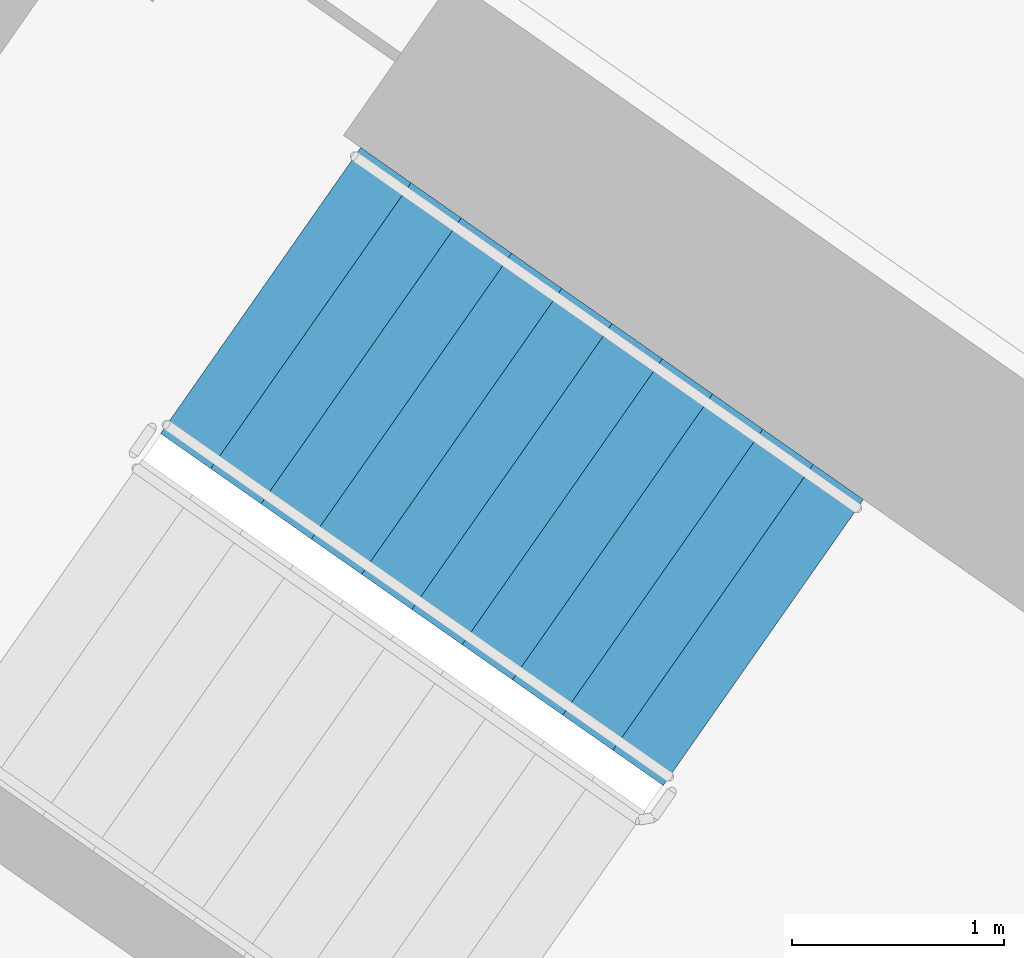
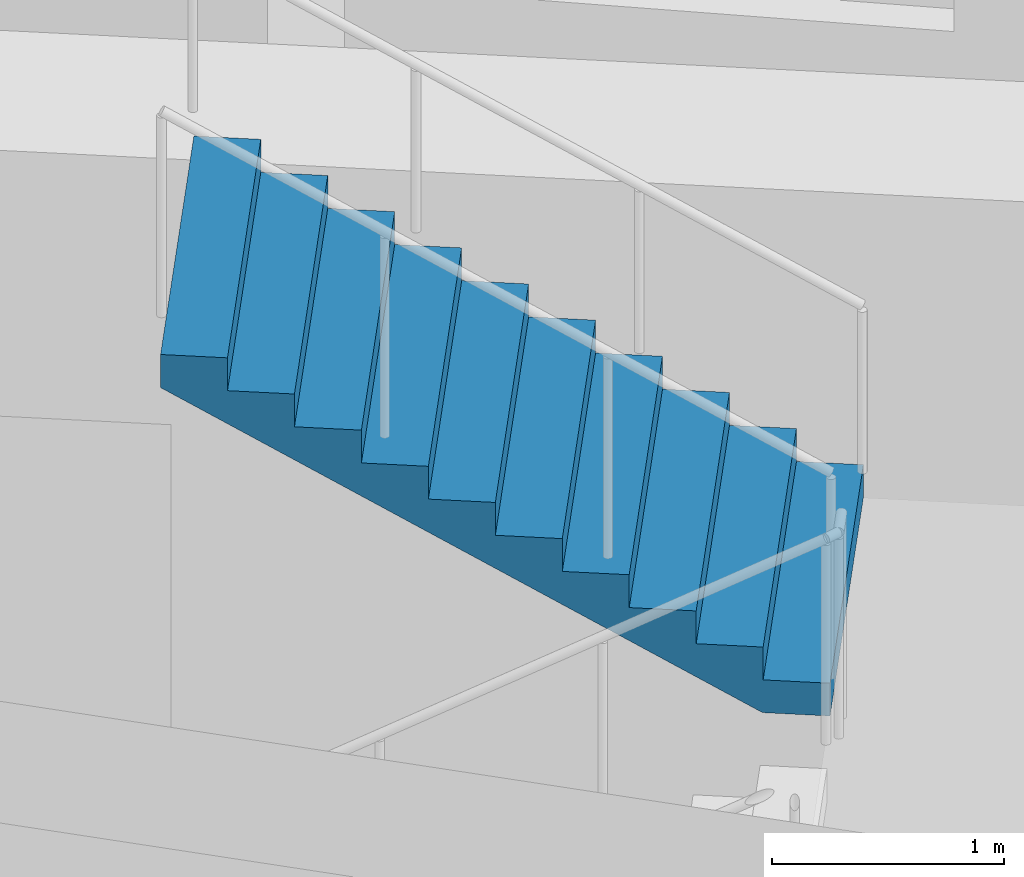
# One storey, part 14 of 32: 1 stair flight, 1 element without a shape of its own.
"""IFC4 building model written with IfcOpenShell, lengths in metres."""

from ifc_helpers import new_model, si_unit, direction, frame, origin, place, context, subcontext, project, spatial, faceted_brep, material, type_object, element, aggregate, save


model = new_model("IFC4")

# Units and contexts
model_context = context("Model", 3, precision=1e-05, world=origin(), true_north=direction((0.0, 1.0)))
body_context = subcontext(model_context, "Body", "Model", "MODEL_VIEW")
ifc_project = project(units=[si_unit("LENGTHUNIT", "METRE"), si_unit("AREAUNIT", "SQUARE_METRE"), si_unit("VOLUMEUNIT", "CUBIC_METRE"), si_unit("PLANEANGLEUNIT", "RADIAN"), si_unit("MASSUNIT", "GRAM", prefix="KILO")], contexts=[model_context])

# Site, building, storey
site_placement = place(None, origin())
site = spatial("IfcSite", under=ifc_project, at=site_placement, CompositionType="ELEMENT")
building_placement = place(site_placement, origin())
building = spatial("IfcBuilding", under=site, at=building_placement, Name="Qamariyya Broadcast Tower", CompositionType="ELEMENT")
storey_placement = place(building_placement, frame((0.0, 0.0, 63.300048828125)))
storey = spatial("IfcBuildingStorey", under=building, at=storey_placement, Name="L12", CompositionType="ELEMENT", Elevation=63.300048828125)

# Stair, stair flight
ifc_material = material(Name="Concrete C50/60", Category="concrete")
stair_type = type_object("IfcStairType", Name="Exit stair 22 risers of 173 mm", PredefinedType="HALF_TURN_STAIR", material=ifc_material)
stair_placement = place(storey_placement, origin())
stair = element("IfcStair", 1, at=stair_placement, inside=storey, type_object=stair_type, Name="L12 Stair W2", PredefinedType="HALF_TURN_STAIR")
stair_flight_type = type_object("IfcStairFlightType", Name="Exit stair flight 11 risers of 173 mm", PredefinedType="STRAIGHT", material=ifc_material)
stair_flight_placement = place(storey_placement, frame((-38.18310546875, -49.3486328125, 1.89990234375), z_axis=(0.0, 0.0, 1.0), x_axis=(-0.819152044289, 0.573576436351, 0.0)))
stair_flight = element("IfcStairFlight", 2, at=stair_flight_placement, type_object=stair_flight_type, Name="ST-W2 flight 2", NumberOfRisers=11, NumberOfTreads=10, PredefinedType="STRAIGHT", RiserHeight=0.172727273, TreadLength=0.29, context=body_context, shape_type="Brep", body=[
    faceted_brep([(0.0, 0.824951171875, 0.0), (0.0, 0.824951171875, 0.172607421875), (0.2900390625, 0.824951171875, 0.172607421875), (0.2900390625, 0.824951171875, 0.345458984375), (0.580078125, 0.824951171875, 0.345458984375), (0.580078125, 0.824951171875, 0.51806640625), (0.8701171875, 0.824951171875, 0.51806640625), (0.8701171875, 0.824951171875, 0.69091796875), (1.159912109375, 0.824951171875, 0.69091796875), (1.159912109375, 0.824951171875, 0.863525390625), (1.449951171875, 0.824951171875, 0.863525390625), (1.449951171875, 0.824951171875, 1.036376953125), (1.739990234375, 0.824951171875, 1.036376953125), (1.739990234375, 0.824951171875, 1.208984375), (2.030029296875, 0.824951171875, 1.208984375), (2.030029296875, 0.824951171875, 1.3818359375), (2.320068359375, 0.824951171875, 1.3818359375), (2.320068359375, 0.824951171875, 1.554443359375), (2.610107421875, 0.824951171875, 1.554443359375), (2.610107421875, 0.824951171875, 1.727294921875), (2.89990234375, 0.824951171875, 1.727294921875), (2.89990234375, 0.824951171875, 1.552734375), (0.29296875, 0.824951171875, 0.0), (0.29296875, -0.824951171875, 0.0), (2.89990234375, -0.824951171875, 1.552734375), (2.89990234375, -0.824951171875, 1.727294921875), (2.610107421875, -0.824951171875, 1.727294921875), (2.610107421875, -0.824951171875, 1.554443359375), (2.320068359375, -0.824951171875, 1.554443359375), (2.320068359375, -0.824951171875, 1.3818359375), (2.030029296875, -0.824951171875, 1.3818359375), (2.030029296875, -0.824951171875, 1.208984375), (1.739990234375, -0.824951171875, 1.208984375), (1.739990234375, -0.824951171875, 1.036376953125), (1.449951171875, -0.824951171875, 1.036376953125), (1.449951171875, -0.824951171875, 0.863525390625), (1.159912109375, -0.824951171875, 0.863525390625), (1.159912109375, -0.824951171875, 0.69091796875), (0.8701171875, -0.824951171875, 0.69091796875), (0.8701171875, -0.824951171875, 0.51806640625), (0.580078125, -0.824951171875, 0.51806640625), (0.580078125, -0.824951171875, 0.345458984375), (0.2900390625, -0.824951171875, 0.345458984375), (0.2900390625, -0.824951171875, 0.172607421875), (0.0, -0.824951171875, 0.172607421875), (0.0, -0.824951171875, 0.0), (0.0, 0.10009765625, 0.0), (0.0, 0.086669921875, 0.0), (0.0, 0.0732421875, 0.0), (0.0, 0.06005859375, 0.0), (0.0, 0.046630859375, 0.0), (0.0, 0.033447265625, 0.0), (0.0, 0.02001953125, 0.0), (0.0, 0.006591796875, 0.0), (0.0, -0.006591796875, 0.0), (0.0, -0.02001953125, 0.0), (0.0, -0.033447265625, 0.0), (0.0, -0.046630859375, 0.0), (0.0, -0.06005859375, 0.0), (0.0, -0.0732421875, 0.0), (0.0, -0.086669921875, 0.0), (0.0, -0.10009765625, 0.0), (0.0, -0.10009765625, 0.172607421875), (0.0, -0.086669921875, 0.172607421875), (0.0, -0.0732421875, 0.172607421875), (0.0, -0.06005859375, 0.172607421875), (0.0, -0.046630859375, 0.172607421875), (0.0, -0.033447265625, 0.172607421875), (0.0, -0.02001953125, 0.172607421875), (0.0, -0.006591796875, 0.172607421875), (0.0, 0.006591796875, 0.172607421875), (0.0, 0.02001953125, 0.172607421875), (0.0, 0.033447265625, 0.172607421875), (0.0, 0.046630859375, 0.172607421875), (0.0, 0.06005859375, 0.172607421875), (0.0, 0.0732421875, 0.172607421875), (0.0, 0.086669921875, 0.172607421875), (0.0, 0.10009765625, 0.172607421875), (0.2900390625, -0.10009765625, 0.172607421875), (0.2900390625, -0.086669921875, 0.172607421875), (0.2900390625, -0.0732421875, 0.172607421875), (0.2900390625, -0.06005859375, 0.172607421875), (0.2900390625, -0.046630859375, 0.172607421875), (0.2900390625, -0.033447265625, 0.172607421875), (0.2900390625, -0.02001953125, 0.172607421875), (0.2900390625, -0.006591796875, 0.172607421875), (0.2900390625, 0.006591796875, 0.172607421875), (0.2900390625, 0.02001953125, 0.172607421875), (0.2900390625, 0.033447265625, 0.172607421875), (0.2900390625, 0.046630859375, 0.172607421875), (0.2900390625, 0.06005859375, 0.172607421875), (0.2900390625, 0.0732421875, 0.172607421875), (0.2900390625, 0.086669921875, 0.172607421875), (0.2900390625, 0.10009765625, 0.172607421875), (0.2900390625, -0.10009765625, 0.345458984375), (0.2900390625, -0.086669921875, 0.345458984375), (0.2900390625, -0.0732421875, 0.345458984375), (0.2900390625, -0.06005859375, 0.345458984375), (0.2900390625, -0.046630859375, 0.345458984375), (0.2900390625, -0.033447265625, 0.345458984375), (0.2900390625, -0.02001953125, 0.345458984375), (0.2900390625, -0.006591796875, 0.345458984375), (0.2900390625, 0.006591796875, 0.345458984375), (0.2900390625, 0.02001953125, 0.345458984375), (0.2900390625, 0.033447265625, 0.345458984375), (0.2900390625, 0.046630859375, 0.345458984375), (0.2900390625, 0.06005859375, 0.345458984375), (0.2900390625, 0.0732421875, 0.345458984375), (0.2900390625, 0.086669921875, 0.345458984375), (0.2900390625, 0.10009765625, 0.345458984375), (0.580078125, -0.10009765625, 0.345458984375), (0.580078125, -0.086669921875, 0.345458984375), (0.580078125, -0.0732421875, 0.345458984375), (0.580078125, -0.06005859375, 0.345458984375), (0.580078125, -0.046630859375, 0.345458984375), (0.580078125, -0.033447265625, 0.345458984375), (0.580078125, -0.02001953125, 0.345458984375), (0.580078125, -0.006591796875, 0.345458984375), (0.580078125, 0.006591796875, 0.345458984375), (0.580078125, 0.02001953125, 0.345458984375), (0.580078125, 0.033447265625, 0.345458984375), (0.580078125, 0.046630859375, 0.345458984375), (0.580078125, 0.06005859375, 0.345458984375), (0.580078125, 0.0732421875, 0.345458984375), (0.580078125, 0.086669921875, 0.345458984375), (0.580078125, 0.10009765625, 0.345458984375), (0.580078125, -0.10009765625, 0.51806640625), (0.580078125, -0.086669921875, 0.51806640625), (0.580078125, -0.0732421875, 0.51806640625), (0.580078125, -0.06005859375, 0.51806640625), (0.580078125, -0.046630859375, 0.51806640625), (0.580078125, -0.033447265625, 0.51806640625), (0.580078125, -0.02001953125, 0.51806640625), (0.580078125, -0.006591796875, 0.51806640625), (0.580078125, 0.006591796875, 0.51806640625), (0.580078125, 0.02001953125, 0.51806640625), (0.580078125, 0.033447265625, 0.51806640625), (0.580078125, 0.046630859375, 0.51806640625), (0.580078125, 0.06005859375, 0.51806640625), (0.580078125, 0.0732421875, 0.51806640625), (0.580078125, 0.086669921875, 0.51806640625), (0.580078125, 0.10009765625, 0.51806640625), (0.8701171875, -0.10009765625, 0.51806640625), (0.8701171875, -0.086669921875, 0.51806640625), (0.8701171875, -0.0732421875, 0.51806640625), (0.8701171875, -0.06005859375, 0.51806640625), (0.8701171875, -0.046630859375, 0.51806640625), (0.8701171875, -0.033447265625, 0.51806640625), (0.8701171875, -0.02001953125, 0.51806640625), (0.8701171875, -0.006591796875, 0.51806640625), (0.8701171875, 0.006591796875, 0.51806640625), (0.8701171875, 0.02001953125, 0.51806640625), (0.8701171875, 0.033447265625, 0.51806640625), (0.8701171875, 0.046630859375, 0.51806640625), (0.8701171875, 0.06005859375, 0.51806640625), (0.8701171875, 0.0732421875, 0.51806640625), (0.8701171875, 0.086669921875, 0.51806640625), (0.8701171875, 0.10009765625, 0.51806640625), (0.8701171875, -0.10009765625, 0.69091796875), (0.8701171875, -0.086669921875, 0.69091796875), (0.8701171875, -0.0732421875, 0.69091796875), (0.8701171875, -0.06005859375, 0.69091796875), (0.8701171875, -0.046630859375, 0.69091796875), (0.8701171875, -0.033447265625, 0.69091796875), (0.8701171875, -0.02001953125, 0.69091796875), (0.8701171875, -0.006591796875, 0.69091796875), (0.8701171875, 0.006591796875, 0.69091796875), (0.8701171875, 0.02001953125, 0.69091796875), (0.8701171875, 0.033447265625, 0.69091796875), (0.8701171875, 0.046630859375, 0.69091796875), (0.8701171875, 0.06005859375, 0.69091796875), (0.8701171875, 0.0732421875, 0.69091796875), (0.8701171875, 0.086669921875, 0.69091796875), (0.8701171875, 0.10009765625, 0.69091796875), (1.159912109375, -0.10009765625, 0.69091796875), (1.159912109375, -0.086669921875, 0.69091796875), (1.159912109375, -0.0732421875, 0.69091796875), (1.159912109375, -0.06005859375, 0.69091796875), (1.159912109375, -0.046630859375, 0.69091796875), (1.159912109375, -0.033447265625, 0.69091796875), (1.159912109375, -0.02001953125, 0.69091796875), (1.159912109375, -0.006591796875, 0.69091796875), (1.159912109375, 0.006591796875, 0.69091796875), (1.159912109375, 0.02001953125, 0.69091796875), (1.159912109375, 0.033447265625, 0.69091796875), (1.159912109375, 0.046630859375, 0.69091796875), (1.159912109375, 0.06005859375, 0.69091796875), (1.159912109375, 0.0732421875, 0.69091796875), (1.159912109375, 0.086669921875, 0.69091796875), (1.159912109375, 0.10009765625, 0.69091796875), (1.159912109375, -0.10009765625, 0.863525390625), (1.159912109375, -0.086669921875, 0.863525390625), (1.159912109375, -0.0732421875, 0.863525390625), (1.159912109375, -0.06005859375, 0.863525390625), (1.159912109375, -0.046630859375, 0.863525390625), (1.159912109375, -0.033447265625, 0.863525390625), (1.159912109375, -0.02001953125, 0.863525390625), (1.159912109375, -0.006591796875, 0.863525390625), (1.159912109375, 0.006591796875, 0.863525390625), (1.159912109375, 0.02001953125, 0.863525390625), (1.159912109375, 0.033447265625, 0.863525390625), (1.159912109375, 0.046630859375, 0.863525390625), (1.159912109375, 0.06005859375, 0.863525390625), (1.159912109375, 0.0732421875, 0.863525390625), (1.159912109375, 0.086669921875, 0.863525390625), (1.159912109375, 0.10009765625, 0.863525390625), (1.449951171875, -0.10009765625, 0.863525390625), (1.449951171875, -0.086669921875, 0.863525390625), (1.449951171875, -0.0732421875, 0.863525390625), (1.449951171875, -0.06005859375, 0.863525390625), (1.449951171875, -0.046630859375, 0.863525390625), (1.449951171875, -0.033447265625, 0.863525390625), (1.449951171875, -0.02001953125, 0.863525390625), (1.449951171875, -0.006591796875, 0.863525390625), (1.449951171875, 0.006591796875, 0.863525390625), (1.449951171875, 0.02001953125, 0.863525390625), (1.449951171875, 0.033447265625, 0.863525390625), (1.449951171875, 0.046630859375, 0.863525390625), (1.449951171875, 0.06005859375, 0.863525390625), (1.449951171875, 0.0732421875, 0.863525390625), (1.449951171875, 0.086669921875, 0.863525390625), (1.449951171875, 0.10009765625, 0.863525390625), (1.449951171875, -0.10009765625, 1.036376953125), (1.449951171875, -0.086669921875, 1.036376953125), (1.449951171875, -0.0732421875, 1.036376953125), (1.449951171875, -0.06005859375, 1.036376953125), (1.449951171875, -0.046630859375, 1.036376953125), (1.449951171875, -0.033447265625, 1.036376953125), (1.449951171875, -0.02001953125, 1.036376953125), (1.449951171875, -0.006591796875, 1.036376953125), (1.449951171875, 0.006591796875, 1.036376953125), (1.449951171875, 0.02001953125, 1.036376953125), (1.449951171875, 0.033447265625, 1.036376953125), (1.449951171875, 0.046630859375, 1.036376953125), (1.449951171875, 0.06005859375, 1.036376953125), (1.449951171875, 0.0732421875, 1.036376953125), (1.449951171875, 0.086669921875, 1.036376953125), (1.449951171875, 0.10009765625, 1.036376953125), (1.739990234375, -0.10009765625, 1.036376953125), (1.739990234375, -0.086669921875, 1.036376953125), (1.739990234375, -0.0732421875, 1.036376953125), (1.739990234375, -0.06005859375, 1.036376953125), (1.739990234375, -0.046630859375, 1.036376953125), (1.739990234375, -0.033447265625, 1.036376953125), (1.739990234375, -0.02001953125, 1.036376953125), (1.739990234375, -0.006591796875, 1.036376953125), (1.739990234375, 0.006591796875, 1.036376953125), (1.739990234375, 0.02001953125, 1.036376953125), (1.739990234375, 0.033447265625, 1.036376953125), (1.739990234375, 0.046630859375, 1.036376953125), (1.739990234375, 0.06005859375, 1.036376953125), (1.739990234375, 0.0732421875, 1.036376953125), (1.739990234375, 0.086669921875, 1.036376953125), (1.739990234375, 0.10009765625, 1.036376953125), (1.739990234375, -0.10009765625, 1.208984375), (1.739990234375, -0.086669921875, 1.208984375), (1.739990234375, -0.0732421875, 1.208984375), (1.739990234375, -0.06005859375, 1.208984375), (1.739990234375, -0.046630859375, 1.208984375), (1.739990234375, -0.033447265625, 1.208984375), (1.739990234375, -0.02001953125, 1.208984375), (1.739990234375, -0.006591796875, 1.208984375), (1.739990234375, 0.006591796875, 1.208984375), (1.739990234375, 0.02001953125, 1.208984375), (1.739990234375, 0.033447265625, 1.208984375), (1.739990234375, 0.046630859375, 1.208984375), (1.739990234375, 0.06005859375, 1.208984375), (1.739990234375, 0.0732421875, 1.208984375), (1.739990234375, 0.086669921875, 1.208984375), (1.739990234375, 0.10009765625, 1.208984375), (2.030029296875, -0.10009765625, 1.208984375), (2.030029296875, -0.086669921875, 1.208984375), (2.030029296875, -0.0732421875, 1.208984375), (2.030029296875, -0.06005859375, 1.208984375), (2.030029296875, -0.046630859375, 1.208984375), (2.030029296875, -0.033447265625, 1.208984375), (2.030029296875, -0.02001953125, 1.208984375), (2.030029296875, -0.006591796875, 1.208984375), (2.030029296875, 0.006591796875, 1.208984375), (2.030029296875, 0.02001953125, 1.208984375), (2.030029296875, 0.033447265625, 1.208984375), (2.030029296875, 0.046630859375, 1.208984375), (2.030029296875, 0.06005859375, 1.208984375), (2.030029296875, 0.0732421875, 1.208984375), (2.030029296875, 0.086669921875, 1.208984375), (2.030029296875, 0.10009765625, 1.208984375), (2.030029296875, -0.10009765625, 1.3818359375), (2.030029296875, -0.086669921875, 1.3818359375), (2.030029296875, -0.0732421875, 1.3818359375), (2.030029296875, -0.06005859375, 1.3818359375), (2.030029296875, -0.046630859375, 1.3818359375), (2.030029296875, -0.033447265625, 1.3818359375), (2.030029296875, -0.02001953125, 1.3818359375), (2.030029296875, -0.006591796875, 1.3818359375), (2.030029296875, 0.006591796875, 1.3818359375), (2.030029296875, 0.02001953125, 1.3818359375), (2.030029296875, 0.033447265625, 1.3818359375), (2.030029296875, 0.046630859375, 1.3818359375), (2.030029296875, 0.06005859375, 1.3818359375), (2.030029296875, 0.0732421875, 1.3818359375), (2.030029296875, 0.086669921875, 1.3818359375), (2.030029296875, 0.10009765625, 1.3818359375), (2.320068359375, -0.10009765625, 1.3818359375), (2.320068359375, -0.086669921875, 1.3818359375), (2.320068359375, -0.0732421875, 1.3818359375), (2.320068359375, -0.06005859375, 1.3818359375), (2.320068359375, -0.046630859375, 1.3818359375), (2.320068359375, -0.033447265625, 1.3818359375), (2.320068359375, -0.02001953125, 1.3818359375), (2.320068359375, -0.006591796875, 1.3818359375), (2.320068359375, 0.006591796875, 1.3818359375), (2.320068359375, 0.02001953125, 1.3818359375), (2.320068359375, 0.033447265625, 1.3818359375), (2.320068359375, 0.046630859375, 1.3818359375), (2.320068359375, 0.06005859375, 1.3818359375), (2.320068359375, 0.0732421875, 1.3818359375), (2.320068359375, 0.086669921875, 1.3818359375), (2.320068359375, 0.10009765625, 1.3818359375), (2.320068359375, -0.10009765625, 1.554443359375), (2.320068359375, -0.086669921875, 1.554443359375), (2.320068359375, -0.0732421875, 1.554443359375), (2.320068359375, -0.06005859375, 1.554443359375), (2.320068359375, -0.046630859375, 1.554443359375), (2.320068359375, -0.033447265625, 1.554443359375), (2.320068359375, -0.02001953125, 1.554443359375), (2.320068359375, -0.006591796875, 1.554443359375), (2.320068359375, 0.006591796875, 1.554443359375), (2.320068359375, 0.02001953125, 1.554443359375), (2.320068359375, 0.033447265625, 1.554443359375), (2.320068359375, 0.046630859375, 1.554443359375), (2.320068359375, 0.06005859375, 1.554443359375), (2.320068359375, 0.0732421875, 1.554443359375), (2.320068359375, 0.086669921875, 1.554443359375), (2.320068359375, 0.10009765625, 1.554443359375), (2.610107421875, -0.10009765625, 1.554443359375), (2.610107421875, -0.086669921875, 1.554443359375), (2.610107421875, -0.0732421875, 1.554443359375), (2.610107421875, -0.06005859375, 1.554443359375), (2.610107421875, -0.046630859375, 1.554443359375), (2.610107421875, -0.033447265625, 1.554443359375), (2.610107421875, -0.02001953125, 1.554443359375), (2.610107421875, -0.006591796875, 1.554443359375), (2.610107421875, 0.006591796875, 1.554443359375), (2.610107421875, 0.02001953125, 1.554443359375), (2.610107421875, 0.033447265625, 1.554443359375), (2.610107421875, 0.046630859375, 1.554443359375), (2.610107421875, 0.06005859375, 1.554443359375), (2.610107421875, 0.0732421875, 1.554443359375), (2.610107421875, 0.086669921875, 1.554443359375), (2.610107421875, 0.10009765625, 1.554443359375), (2.610107421875, -0.10009765625, 1.727294921875), (2.610107421875, -0.086669921875, 1.727294921875), (2.610107421875, -0.0732421875, 1.727294921875), (2.610107421875, -0.06005859375, 1.727294921875), (2.610107421875, -0.046630859375, 1.727294921875), (2.610107421875, -0.033447265625, 1.727294921875), (2.610107421875, -0.02001953125, 1.727294921875), (2.610107421875, -0.006591796875, 1.727294921875), (2.610107421875, 0.006591796875, 1.727294921875), (2.610107421875, 0.02001953125, 1.727294921875), (2.610107421875, 0.033447265625, 1.727294921875), (2.610107421875, 0.046630859375, 1.727294921875), (2.610107421875, 0.06005859375, 1.727294921875), (2.610107421875, 0.0732421875, 1.727294921875), (2.610107421875, 0.086669921875, 1.727294921875), (2.610107421875, 0.10009765625, 1.727294921875), (2.89990234375, -0.10009765625, 1.727294921875), (2.89990234375, -0.086669921875, 1.727294921875), (2.89990234375, -0.0732421875, 1.727294921875), (2.89990234375, -0.06005859375, 1.727294921875), (2.89990234375, -0.046630859375, 1.727294921875), (2.89990234375, -0.033447265625, 1.727294921875), (2.89990234375, -0.02001953125, 1.727294921875), (2.89990234375, -0.006591796875, 1.727294921875), (2.89990234375, 0.006591796875, 1.727294921875), (2.89990234375, 0.02001953125, 1.727294921875), (2.89990234375, 0.033447265625, 1.727294921875), (2.89990234375, 0.046630859375, 1.727294921875), (2.89990234375, 0.06005859375, 1.727294921875), (2.89990234375, 0.0732421875, 1.727294921875), (2.89990234375, 0.086669921875, 1.727294921875), (2.89990234375, 0.10009765625, 1.727294921875), (2.89990234375, -0.10009765625, 1.552734375), (2.89990234375, -0.086669921875, 1.552734375), (2.89990234375, -0.0732421875, 1.552734375), (2.89990234375, -0.06005859375, 1.552734375), (2.89990234375, -0.046630859375, 1.552734375), (2.89990234375, -0.033447265625, 1.552734375), (2.89990234375, -0.02001953125, 1.552734375), (2.89990234375, -0.006591796875, 1.552734375), (2.89990234375, 0.006591796875, 1.552734375), (2.89990234375, 0.02001953125, 1.552734375), (2.89990234375, 0.033447265625, 1.552734375), (2.89990234375, 0.046630859375, 1.552734375), (2.89990234375, 0.06005859375, 1.552734375), (2.89990234375, 0.0732421875, 1.552734375), (2.89990234375, 0.086669921875, 1.552734375), (2.89990234375, 0.10009765625, 1.552734375), (0.29296875, -0.10009765625, 0.0), (0.29296875, -0.086669921875, 0.0), (0.29296875, -0.0732421875, 0.0), (0.29296875, -0.06005859375, 0.0), (0.29296875, -0.046630859375, 0.0), (0.29296875, -0.033447265625, 0.0), (0.29296875, -0.02001953125, 0.0), (0.29296875, -0.006591796875, 0.0), (0.29296875, 0.006591796875, 0.0), (0.29296875, 0.02001953125, 0.0), (0.29296875, 0.033447265625, 0.0), (0.29296875, 0.046630859375, 0.0), (0.29296875, 0.06005859375, 0.0), (0.29296875, 0.0732421875, 0.0), (0.29296875, 0.086669921875, 0.0), (0.29296875, 0.10009765625, 0.0)], [[[0, 1, 2, 3, 4, 5, 6, 7, 8, 9, 10, 11, 12, 13, 14, 15, 16, 17, 18, 19, 20, 21, 22]], [[23, 24, 25, 26, 27, 28, 29, 30, 31, 32, 33, 34, 35, 36, 37, 38, 39, 40, 41, 42, 43, 44, 45]], [[0, 46, 47, 48, 49, 50, 51, 52, 53, 54, 55, 56, 57, 58, 59, 60, 61, 45, 44, 62, 63, 64, 65, 66, 67, 68, 69, 70, 71, 72, 73, 74, 75, 76, 77, 1]], [[1, 77, 76, 75, 74, 73, 72, 71, 70, 69, 68, 67, 66, 65, 64, 63, 62, 44, 43, 78, 79, 80, 81, 82, 83, 84, 85, 86, 87, 88, 89, 90, 91, 92, 93, 2]], [[2, 93, 92, 91, 90, 89, 88, 87, 86, 85, 84, 83, 82, 81, 80, 79, 78, 43, 42, 94, 95, 96, 97, 98, 99, 100, 101, 102, 103, 104, 105, 106, 107, 108, 109, 3]], [[3, 109, 108, 107, 106, 105, 104, 103, 102, 101, 100, 99, 98, 97, 96, 95, 94, 42, 41, 110, 111, 112, 113, 114, 115, 116, 117, 118, 119, 120, 121, 122, 123, 124, 125, 4]], [[4, 125, 124, 123, 122, 121, 120, 119, 118, 117, 116, 115, 114, 113, 112, 111, 110, 41, 40, 126, 127, 128, 129, 130, 131, 132, 133, 134, 135, 136, 137, 138, 139, 140, 141, 5]], [[5, 141, 140, 139, 138, 137, 136, 135, 134, 133, 132, 131, 130, 129, 128, 127, 126, 40, 39, 142, 143, 144, 145, 146, 147, 148, 149, 150, 151, 152, 153, 154, 155, 156, 157, 6]], [[6, 157, 156, 155, 154, 153, 152, 151, 150, 149, 148, 147, 146, 145, 144, 143, 142, 39, 38, 158, 159, 160, 161, 162, 163, 164, 165, 166, 167, 168, 169, 170, 171, 172, 173, 7]], [[7, 173, 172, 171, 170, 169, 168, 167, 166, 165, 164, 163, 162, 161, 160, 159, 158, 38, 37, 174, 175, 176, 177, 178, 179, 180, 181, 182, 183, 184, 185, 186, 187, 188, 189, 8]], [[8, 189, 188, 187, 186, 185, 184, 183, 182, 181, 180, 179, 178, 177, 176, 175, 174, 37, 36, 190, 191, 192, 193, 194, 195, 196, 197, 198, 199, 200, 201, 202, 203, 204, 205, 9]], [[9, 205, 204, 203, 202, 201, 200, 199, 198, 197, 196, 195, 194, 193, 192, 191, 190, 36, 35, 206, 207, 208, 209, 210, 211, 212, 213, 214, 215, 216, 217, 218, 219, 220, 221, 10]], [[10, 221, 220, 219, 218, 217, 216, 215, 214, 213, 212, 211, 210, 209, 208, 207, 206, 35, 34, 222, 223, 224, 225, 226, 227, 228, 229, 230, 231, 232, 233, 234, 235, 236, 237, 11]], [[11, 237, 236, 235, 234, 233, 232, 231, 230, 229, 228, 227, 226, 225, 224, 223, 222, 34, 33, 238, 239, 240, 241, 242, 243, 244, 245, 246, 247, 248, 249, 250, 251, 252, 253, 12]], [[12, 253, 252, 251, 250, 249, 248, 247, 246, 245, 244, 243, 242, 241, 240, 239, 238, 33, 32, 254, 255, 256, 257, 258, 259, 260, 261, 262, 263, 264, 265, 266, 267, 268, 269, 13]], [[13, 269, 268, 267, 266, 265, 264, 263, 262, 261, 260, 259, 258, 257, 256, 255, 254, 32, 31, 270, 271, 272, 273, 274, 275, 276, 277, 278, 279, 280, 281, 282, 283, 284, 285, 14]], [[14, 285, 284, 283, 282, 281, 280, 279, 278, 277, 276, 275, 274, 273, 272, 271, 270, 31, 30, 286, 287, 288, 289, 290, 291, 292, 293, 294, 295, 296, 297, 298, 299, 300, 301, 15]], [[15, 301, 300, 299, 298, 297, 296, 295, 294, 293, 292, 291, 290, 289, 288, 287, 286, 30, 29, 302, 303, 304, 305, 306, 307, 308, 309, 310, 311, 312, 313, 314, 315, 316, 317, 16]], [[16, 317, 316, 315, 314, 313, 312, 311, 310, 309, 308, 307, 306, 305, 304, 303, 302, 29, 28, 318, 319, 320, 321, 322, 323, 324, 325, 326, 327, 328, 329, 330, 331, 332, 333, 17]], [[17, 333, 332, 331, 330, 329, 328, 327, 326, 325, 324, 323, 322, 321, 320, 319, 318, 28, 27, 334, 335, 336, 337, 338, 339, 340, 341, 342, 343, 344, 345, 346, 347, 348, 349, 18]], [[18, 349, 348, 347, 346, 345, 344, 343, 342, 341, 340, 339, 338, 337, 336, 335, 334, 27, 26, 350, 351, 352, 353, 354, 355, 356, 357, 358, 359, 360, 361, 362, 363, 364, 365, 19]], [[19, 365, 364, 363, 362, 361, 360, 359, 358, 357, 356, 355, 354, 353, 352, 351, 350, 26, 25, 366, 367, 368, 369, 370, 371, 372, 373, 374, 375, 376, 377, 378, 379, 380, 381, 20]], [[20, 381, 380, 379, 378, 377, 376, 375, 374, 373, 372, 371, 370, 369, 368, 367, 366, 25, 24, 382, 383, 384, 385, 386, 387, 388, 389, 390, 391, 392, 393, 394, 395, 396, 397, 21]], [[21, 397, 396, 395, 394, 393, 392, 391, 390, 389, 388, 387, 386, 385, 384, 383, 382, 24, 23, 398, 399, 400, 401, 402, 403, 404, 405, 406, 407, 408, 409, 410, 411, 412, 413, 22]], [[22, 413, 412, 411, 410, 409, 408, 407, 406, 405, 404, 403, 402, 401, 400, 399, 398, 23, 45, 61, 60, 59, 58, 57, 56, 55, 54, 53, 52, 51, 50, 49, 48, 47, 46, 0]]]),
])
aggregate(stair, [stair_flight])

save(model, "model.ifc")
